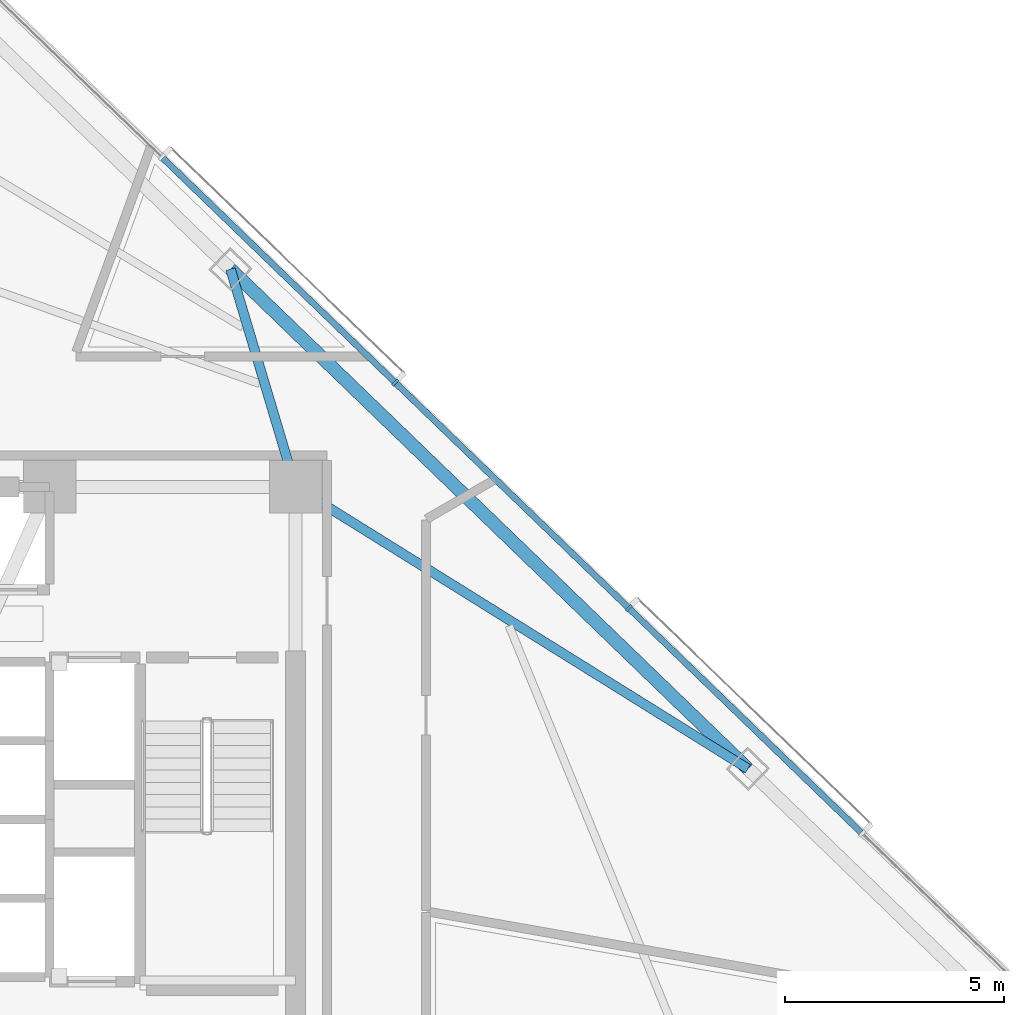
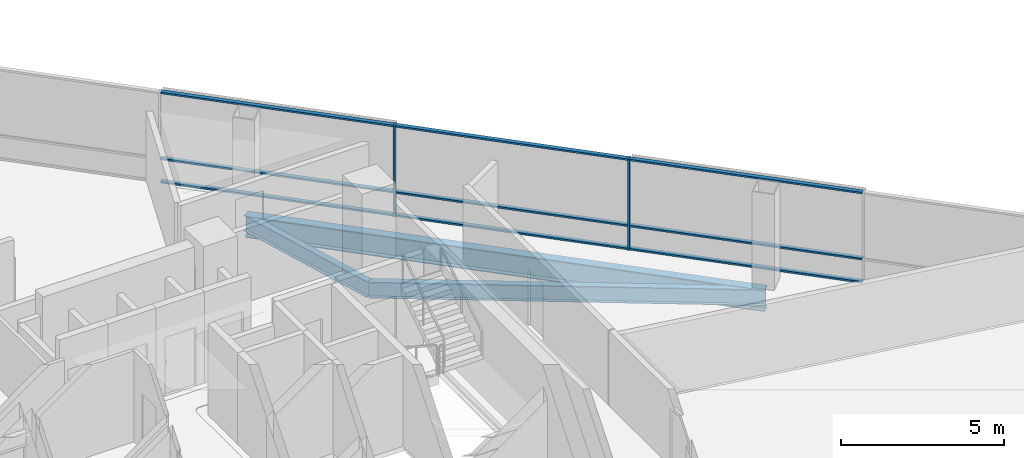
# One storey, part 7 of 19: 11 members, 3 beams, 1 element without a shape of its own.
"""IFC4 building model written with IfcOpenShell, lengths in metres."""

from ifc_helpers import new_model, si_unit, direction, frame, origin, origin_2d, place, context, subcontext, project, spatial, rectangle, i_section, extrude, material, layer, layer_set, material_profile, profile_set, type_object, element, aggregate, save


model = new_model("IFC4")

# Units and contexts
model_context = context("Model", 3, precision=1e-05, world=origin(), true_north=direction((0.0, 1.0)))
body_context = subcontext(model_context, "Body", "Model", "MODEL_VIEW")
ifc_project = project(units=[si_unit("LENGTHUNIT", "METRE"), si_unit("AREAUNIT", "SQUARE_METRE"), si_unit("VOLUMEUNIT", "CUBIC_METRE"), si_unit("PLANEANGLEUNIT", "RADIAN"), si_unit("MASSUNIT", "GRAM", prefix="KILO")], contexts=[model_context])

# Site, building, storey
site_placement = place(None, origin())
site = spatial("IfcSite", under=ifc_project, at=site_placement, CompositionType="ELEMENT")
building_placement = place(site_placement, origin())
building = spatial("IfcBuilding", under=site, at=building_placement, Name="Tharavind Bronze Gate", CompositionType="ELEMENT")
storey_placement = place(building_placement, frame((0.0, 0.0, 89.699951171875)))
storey = spatial("IfcBuildingStorey", under=building, at=storey_placement, Name="L22", CompositionType="ELEMENT", Elevation=89.699951171875)

# Curtain wall, members
ifc_material_1 = material(Name="Anodised Bronze Aluminium", Category="aluminium")
ifc_layer = layer(ifc_material_1, 0.219970703125)
ifc_layer_set = layer_set([ifc_layer], Name="Anodised Bronze Aluminium")
curtain_wall_type = type_object("IfcCurtainWallType", Name="UNITISED CURTAIN WALL LOWER OFFICE", PredefinedType="USERDEFINED", material=ifc_layer_set)
curtain_wall_placement = place(storey_placement, origin())
curtain_wall = element("IfcCurtainWall", 1, at=curtain_wall_placement, inside=storey, type_object=curtain_wall_type, Name="L22 unitised curtain wall lower office CW-L22-S3", ObjectType="UNITISED CURTAIN WALL", PredefinedType="USERDEFINED")
member_type_1 = type_object("IfcMemberType", Name="CURTAIN WALL BRONZE MULLION 65X180", PredefinedType="MULLION", material=ifc_material_1)
member_1_placement = place(storey_placement, frame((16.512939453125, 4.83251953125, 0.0), z_axis=(0.0, 0.0, 1.0), x_axis=(-0.719341012745, 0.694657114973, 0.0)))
member_1 = element("IfcMember", 2, at=member_1_placement, type_object=member_type_1, Name="CW-L22-S3 mullion 4", PredefinedType="MULLION", context=body_context, shape_type="SweptSolid", body=[
    extrude(rectangle(XDim=0.06494140625, YDim=0.179931640625, at=origin_2d()), origin(), (0.0, 0.0, 1.0), 3.409912109375),
])
member_2_placement = place(storey_placement, frame((11.1796875, 9.98291015625, 0.0), z_axis=(0.0, 0.0, 1.0), x_axis=(-0.719341012745, 0.694657114973, 0.0)))
member_2 = element("IfcMember", 3, at=member_2_placement, type_object=member_type_1, Name="CW-L22-S3 mullion 5", PredefinedType="MULLION", context=body_context, shape_type="SweptSolid", body=[
    extrude(rectangle(XDim=0.06494140625, YDim=0.179931640625, at=origin_2d()), origin(), (0.0, 0.0, 1.0), 3.409912109375),
])
member_type_2 = type_object("IfcMemberType", Name="CURTAIN WALL BRONZE TRANSOM 65X140", PredefinedType="USERDEFINED", material=ifc_material_1)
member_3_placement = place(storey_placement, frame((19.1796875, 2.25732421875, 0.0), z_axis=(0.0, 0.0, 1.0), x_axis=(-0.719341012745, 0.694657114973, 0.0)))
member_3 = element("IfcMember", 4, at=member_3_placement, type_object=member_type_2, Name="CW-L22-S3 transom TB3", ObjectType="TRANSOM", PredefinedType="USERDEFINED", context=body_context, shape_type="SweptSolid", body=[
    extrude(rectangle(XDim=7.361083984375, YDim=0.139892578125, at=origin_2d()), origin(), (0.0, 0.0, 1.0), 0.06494140625),
])
member_4_placement = place(storey_placement, frame((19.1796875, 2.25732421875, 0.86767578125), z_axis=(0.0, 0.0, 1.0), x_axis=(-0.719341012745, 0.694657114973, 0.0)))
member_4 = element("IfcMember", 5, at=member_4_placement, type_object=member_type_2, Name="CW-L22-S3 transom TS3", ObjectType="TRANSOM", PredefinedType="USERDEFINED", context=body_context, shape_type="SweptSolid", body=[
    extrude(rectangle(XDim=7.361083984375, YDim=0.139892578125, at=origin_2d()), origin(), (0.0, 0.0, 1.0), 0.06494140625),
])
member_5_placement = place(storey_placement, frame((19.1796875, 2.25732421875, 3.344970703125), z_axis=(0.0, 0.0, 1.0), x_axis=(-0.719341012745, 0.694657114973, 0.0)))
member_5 = element("IfcMember", 6, at=member_5_placement, type_object=member_type_2, Name="CW-L22-S3 transom TT3", ObjectType="TRANSOM", PredefinedType="USERDEFINED", context=body_context, shape_type="SweptSolid", body=[
    extrude(rectangle(XDim=7.361083984375, YDim=0.139892578125, at=origin_2d()), origin(), (0.0, 0.0, 1.0), 0.06494140625),
])
member_6_placement = place(storey_placement, frame((13.84619140625, 7.40771484375, 0.0), z_axis=(0.0, 0.0, 1.0), x_axis=(-0.719341012745, 0.694657114973, 0.0)))
member_6 = element("IfcMember", 7, at=member_6_placement, type_object=member_type_2, Name="CW-L22-S3 transom TB4", ObjectType="TRANSOM", PredefinedType="USERDEFINED", context=body_context, shape_type="SweptSolid", body=[
    extrude(rectangle(XDim=7.361083984375, YDim=0.139892578125, at=origin_2d()), origin(), (0.0, 0.0, 1.0), 0.06494140625),
])
member_7_placement = place(storey_placement, frame((13.84619140625, 7.40771484375, 0.86767578125), z_axis=(0.0, 0.0, 1.0), x_axis=(-0.719341012745, 0.694657114973, 0.0)))
member_7 = element("IfcMember", 8, at=member_7_placement, type_object=member_type_2, Name="CW-L22-S3 transom TS4", ObjectType="TRANSOM", PredefinedType="USERDEFINED", context=body_context, shape_type="SweptSolid", body=[
    extrude(rectangle(XDim=7.361083984375, YDim=0.139892578125, at=origin_2d()), origin(), (0.0, 0.0, 1.0), 0.06494140625),
])
member_8_placement = place(storey_placement, frame((13.84619140625, 7.40771484375, 3.344970703125), z_axis=(0.0, 0.0, 1.0), x_axis=(-0.719341012745, 0.694657114973, 0.0)))
member_8 = element("IfcMember", 9, at=member_8_placement, type_object=member_type_2, Name="CW-L22-S3 transom TT4", ObjectType="TRANSOM", PredefinedType="USERDEFINED", context=body_context, shape_type="SweptSolid", body=[
    extrude(rectangle(XDim=7.361083984375, YDim=0.139892578125, at=origin_2d()), origin(), (0.0, 0.0, 1.0), 0.06494140625),
])
member_9_placement = place(storey_placement, frame((8.512939453125, 12.55810546875, 0.0), z_axis=(0.0, 0.0, 1.0), x_axis=(-0.719341012745, 0.694657114973, 0.0)))
member_9 = element("IfcMember", 10, at=member_9_placement, type_object=member_type_2, Name="CW-L22-S3 transom TB5", ObjectType="TRANSOM", PredefinedType="USERDEFINED", context=body_context, shape_type="SweptSolid", body=[
    extrude(rectangle(XDim=7.361083984375, YDim=0.139892578125, at=origin_2d()), origin(), (0.0, 0.0, 1.0), 0.06494140625),
])
member_10_placement = place(storey_placement, frame((8.512939453125, 12.55810546875, 0.86767578125), z_axis=(0.0, 0.0, 1.0), x_axis=(-0.719341012745, 0.694657114973, 0.0)))
member_10 = element("IfcMember", 11, at=member_10_placement, type_object=member_type_2, Name="CW-L22-S3 transom TS5", ObjectType="TRANSOM", PredefinedType="USERDEFINED", context=body_context, shape_type="SweptSolid", body=[
    extrude(rectangle(XDim=7.361083984375, YDim=0.139892578125, at=origin_2d()), origin(), (0.0, 0.0, 1.0), 0.06494140625),
])
member_11_placement = place(storey_placement, frame((8.512939453125, 12.55810546875, 3.344970703125), z_axis=(0.0, 0.0, 1.0), x_axis=(-0.719341012745, 0.694657114973, 0.0)))
member_11 = element("IfcMember", 12, at=member_11_placement, type_object=member_type_2, Name="CW-L22-S3 transom TT5", ObjectType="TRANSOM", PredefinedType="USERDEFINED", context=body_context, shape_type="SweptSolid", body=[
    extrude(rectangle(XDim=7.361083984375, YDim=0.139892578125, at=origin_2d()), origin(), (0.0, 0.0, 1.0), 0.06494140625),
])
aggregate(curtain_wall, [member_1, member_2, member_3, member_4, member_5, member_6, member_7, member_8, member_9, member_10, member_11])

# Beams
ifc_material_2 = material(Name="Steel S355", Category="steel")
ifc_material_profile_1 = material_profile(ifc_material_2, i_section(OverallWidth=0.219970703125, OverallDepth=0.60009765625, WebThickness=0.011962890625, FlangeThickness=0.01904296875, at=origin_2d()), Name="IPE600")
ifc_profile_set_1 = profile_set([ifc_material_profile_1], Name="Steel S355")
beam_type_1 = type_object("IfcBeamType", Name="PRIMARY GIRDER IPE600", PredefinedType="USERDEFINED", material=ifc_profile_set_1)
beam_1_placement = place(storey_placement, frame((19.236083984375, 1.160400390625, -0.489990234375), z_axis=(-0.848750917637, 0.528792851513, 0.0), x_axis=(-0.528792851513, -0.848750917637, 0.0)))
element("IfcBeam", 13, at=beam_1_placement, inside=storey, type_object=beam_type_1, Name="L22 primary girder ipe600 BM-L22-RAD10", ObjectType="GIRDER", PredefinedType="USERDEFINED", context=body_context, shape_type="SweptSolid", body=[
    extrude(i_section(OverallWidth=0.219970703125, OverallDepth=0.60009765625, WebThickness=0.011962890625, FlangeThickness=0.01904296875, at=origin_2d()), origin(), (0.0, 0.0, 1.0), 12.17822265625),
])
beam_2_placement = place(storey_placement, frame((7.41455078125, 12.576171875, -0.489990234375), z_axis=(0.286027795034, -0.958221321234, 0.0), x_axis=(0.958221321234, 0.286027795034, 0.0)))
element("IfcBeam", 14, at=beam_2_placement, inside=storey, type_object=beam_type_1, Name="L22 primary girder ipe600 BM-L22-RAD11", ObjectType="GIRDER", PredefinedType="USERDEFINED", context=body_context, shape_type="SweptSolid", body=[
    extrude(i_section(OverallWidth=0.219970703125, OverallDepth=0.60009765625, WebThickness=0.011962890625, FlangeThickness=0.01904296875, at=origin_2d()), origin(), (0.0, 0.0, 1.0), 5.193115234375),
])
ifc_material_profile_2 = material_profile(ifc_material_2, i_section(OverallWidth=0.300048828125, OverallDepth=0.800048828125, WebThickness=0.017578125, FlangeThickness=0.032958984375, at=origin_2d()), Name="HE800B")
ifc_profile_set_2 = profile_set([ifc_material_profile_2], Name="Steel S355")
beam_type_2 = type_object("IfcBeamType", Name="RING GIRDER HE800B", PredefinedType="USERDEFINED", material=ifc_profile_set_2)
beam_3_placement = place(storey_placement, frame((19.236083984375, 1.160400390625, -0.58984375), z_axis=(-0.719344374421, 0.694653633827, 0.0), x_axis=(-0.694653633827, -0.719344374421, 0.0)))
element("IfcBeam", 15, at=beam_3_placement, inside=storey, type_object=beam_type_2, Name="L22 ring girder he800b BM-L22-PRG10", ObjectType="GIRDER", PredefinedType="USERDEFINED", context=body_context, shape_type="SweptSolid", body=[
    extrude(i_section(OverallWidth=0.300048828125, OverallDepth=0.800048828125, WebThickness=0.017578125, FlangeThickness=0.032958984375, at=origin_2d()), origin(), (0.0, 0.0, 1.0), 16.433837890625),
])

save(model, "model.ifc")
